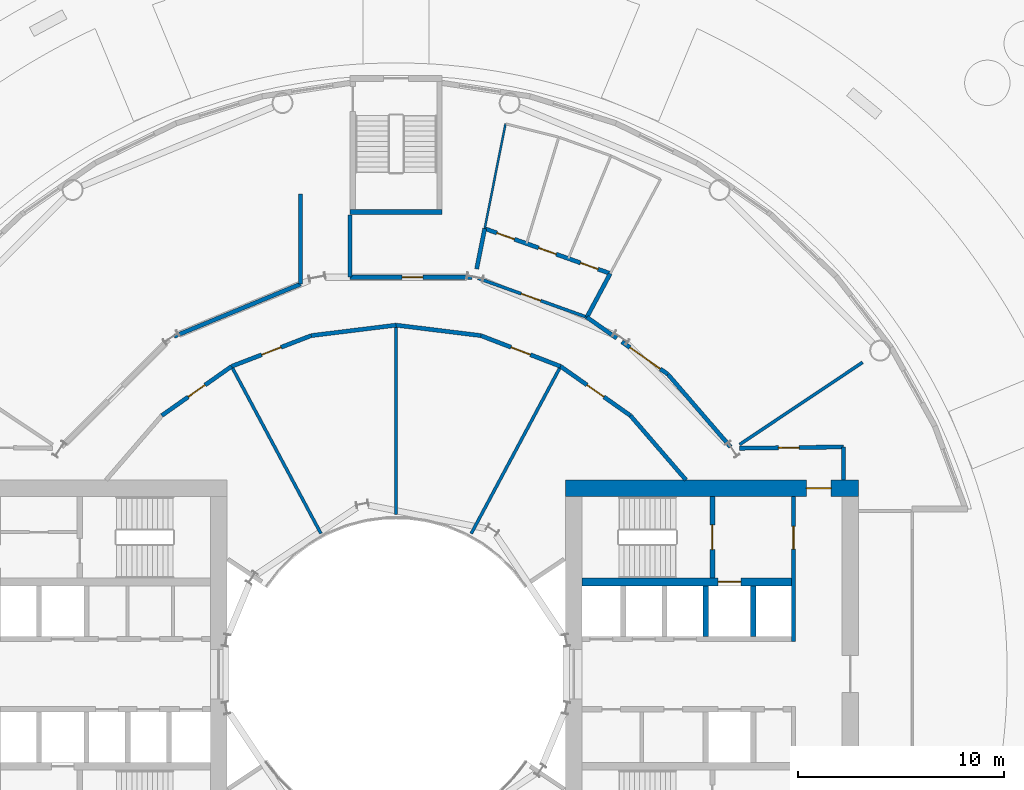
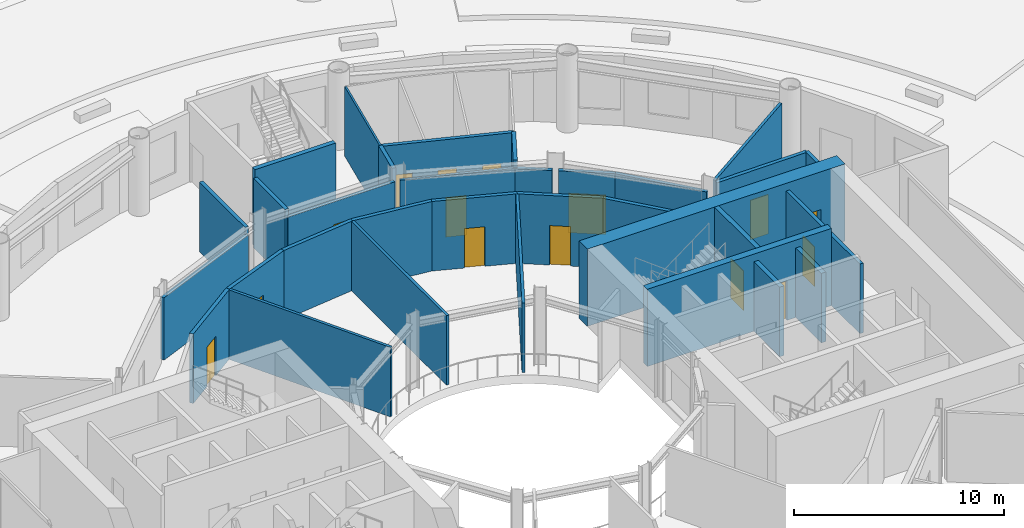
# One storey, part 14 of 19: 32 walls, 15 doors, 15 openings.
"""IFC4 building model written with IfcOpenShell, lengths in metres."""

from ifc_helpers import new_model, si_unit, direction, frame, frame_2d, origin, place, context, subcontext, project, spatial, rectangle, extrude, material, layer, layer_set, type_object, element, fill, save


model = new_model("IFC4")

# Units and contexts
model_context = context("Model", 3, precision=1e-05, world=origin(), true_north=direction((0.0, 1.0)))
body_context = subcontext(model_context, "Body", "Model", "MODEL_VIEW")
ifc_project = project(units=[si_unit("LENGTHUNIT", "METRE"), si_unit("AREAUNIT", "SQUARE_METRE"), si_unit("VOLUMEUNIT", "CUBIC_METRE"), si_unit("PLANEANGLEUNIT", "RADIAN"), si_unit("MASSUNIT", "GRAM", prefix="KILO")], contexts=[model_context])

# Site, building, storey
site_placement = place(None, origin())
site = spatial("IfcSite", under=ifc_project, at=site_placement, CompositionType="ELEMENT")
building_placement = place(site_placement, origin())
building = spatial("IfcBuilding", under=site, at=building_placement, Name="Maasbend Ring Residences", CompositionType="ELEMENT")
storey_placement = place(building_placement, frame((0.0, 0.0, 9.60009765625)))
storey = spatial("IfcBuildingStorey", under=building, at=storey_placement, Name="L02", CompositionType="ELEMENT", Elevation=9.60009765625)

# Wall, opening, door
ifc_material_1 = material(Name="Concrete C70/85", Category="concrete")
ifc_layer_1 = layer(ifc_material_1, 0.25)
ifc_layer_set_1 = layer_set([ifc_layer_1], Name="Concrete C70/85")
wall_type_1 = type_object("IfcWallType", Name="CORE WALL 250 C70/85", PredefinedType="SHEAR", material=ifc_layer_set_1)
wall_1_placement = place(storey_placement, frame((15.324951171875, 4.64990234375, 0.0), z_axis=(0.0, 0.0, 1.0), x_axis=(0.0, 1.0, 0.0)))
wall_1 = element("IfcWall", 1, at=wall_1_placement, inside=storey, type_object=wall_type_1, Name="L02 core E wall STEN", PredefinedType="SHEAR", context=body_context, shape_type="SweptSolid", body=[
    extrude(rectangle(XDim=3.9501953125, YDim=0.25, at=frame_2d((1.97509765625, 0.0))), origin(), (0.0, 0.0, 1.0), 4.5),
])
opening_1_placement = place(wall_1_placement, frame((1.375, 0.0, 0.0)))
opening_1 = element("IfcOpeningElement", 2, at=opening_1_placement, cuts=wall_1, Name="Opening D-E0210", PredefinedType="OPENING", context=body_context, shape_type="SweptSolid", body=[
    extrude(rectangle(XDim=1.199951171875, YDim=2.300048828125, at=frame_2d((0.60009765625, 1.14990234375))), frame((0.0, 0.135009765625, 0.0), z_axis=(0.0, -1.0, 0.0), x_axis=(1.0, 0.0, 0.0)), (0.0, 0.0, 1.0), 0.27001953125),
])
ifc_material_2 = material(Name="Steel, powder coated", Category="steel")
door_type_1 = type_object("IfcDoorType", Name="STAIR DOOR 1200 X 2300 FD60", OperationType="NOTDEFINED", PredefinedType="DOOR", material=ifc_material_2)
door_1_placement = place(opening_1_placement, origin())
door_1 = element("IfcDoor", 3, at=door_1_placement, inside=storey, type_object=door_type_1, Name="Stair door ST-E L02", OperationType="SINGLE_SWING_LEFT", OverallHeight=2.300048828125, OverallWidth=1.199951171875, PredefinedType="DOOR", context=body_context, shape_type="SweptSolid", body=[
    extrude(rectangle(XDim=1.199951171875, YDim=2.300048828125, at=frame_2d((0.60009765625, 1.14990234375))), frame((0.0, 0.02490234375, 0.0), z_axis=(0.0, -1.0, 0.0), x_axis=(1.0, 0.0, 0.0)), (0.0, 0.0, 1.0), 0.050048828125),
])
fill(opening_1, door_1)

# Wall
wall_2_placement = place(storey_placement, frame((2.22509765625, 22.375, 0.0), z_axis=(0.0, 0.0, 1.0), x_axis=(-1.0, 0.0, 0.0)))
element("IfcWall", 4, at=wall_2_placement, inside=storey, type_object=wall_type_1, Name="L02 ST-P4 enclosure wall WIN", PredefinedType="SHEAR", context=body_context, shape_type="SweptSolid", body=[
    extrude(rectangle(XDim=4.4501953125, YDim=0.25, at=frame_2d((2.22509765625, 0.0))), origin(), (0.0, 0.0, 1.0), 4.5),
])

# Wall, opening, door
ifc_material_3 = material(Name="Concrete C70/85", Category="concrete")
ifc_layer_2 = layer(ifc_material_3, 0.375)
ifc_layer_set_2 = layer_set([ifc_layer_2], Name="Concrete C70/85")
wall_type_2 = type_object("IfcWallType", Name="CORE WALL 375 C70/85", PredefinedType="SHEAR", material=ifc_layer_set_2)
wall_3_placement = place(storey_placement, frame((9.0, 4.46240234375, 0.0), z_axis=(0.0, 0.0, 1.0), x_axis=(1.0, 0.0, 0.0)))
wall_3 = element("IfcWall", 5, at=wall_3_placement, inside=storey, type_object=wall_type_2, Name="L02 core E wall BN", PredefinedType="SHEAR", context=body_context, shape_type="SweptSolid", body=[
    extrude(rectangle(XDim=10.14990234375, YDim=0.375, at=frame_2d((5.074951171875, 0.0))), origin(), (0.0, 0.0, 1.0), 4.5),
])
opening_2_placement = place(wall_3_placement, frame((6.60009765625, 0.0, 0.0)))
opening_2 = element("IfcOpeningElement", 6, at=opening_2_placement, cuts=wall_3, Name="Opening LD-E0204", PredefinedType="OPENING", context=body_context, shape_type="SweptSolid", body=[
    extrude(rectangle(XDim=1.10009765625, YDim=2.300048828125, at=frame_2d((0.550048828125, 1.14990234375))), frame((0.0, 0.197509765625, 0.0), z_axis=(0.0, -1.0, 0.0), x_axis=(1.0, 0.0, 0.0)), (0.0, 0.0, 1.0), 0.39501953125),
])
ifc_material_4 = material(Name="Stainless steel 316", Category="steel")
door_type_2 = type_object("IfcDoorType", Name="LANDING DOOR 1100 X 2300 FD60", OperationType="DOUBLE_DOOR_SLIDING", PredefinedType="DOOR", material=ifc_material_4)
door_2_placement = place(opening_2_placement, origin())
door_2 = element("IfcDoor", 7, at=door_2_placement, inside=storey, type_object=door_type_2, Name="Landing door FF-E L02", OperationType="DOUBLE_DOOR_SLIDING", OverallHeight=2.300048828125, OverallWidth=1.10009765625, PredefinedType="DOOR", context=body_context, shape_type="SweptSolid", body=[
    extrude(rectangle(XDim=1.10009765625, YDim=2.300048828125, at=frame_2d((0.550048828125, 1.14990234375))), frame((0.0, 0.02490234375, 0.0), z_axis=(0.0, -1.0, 0.0), x_axis=(1.0, 0.0, 0.0)), (0.0, 0.0, 1.0), 0.050048828125),
])
fill(opening_2, door_2)

ifc_material_5 = material(Name="Concrete C70/85", Category="concrete")
ifc_layer_3 = layer(ifc_material_5, 0.800048828125)
ifc_layer_set_3 = layer_set([ifc_layer_3], Name="Concrete C70/85")
wall_type_3 = type_object("IfcWallType", Name="CORE WALL 800 C70/85", PredefinedType="SHEAR", material=ifc_layer_set_3)
wall_4_placement = place(storey_placement, frame((22.39990234375, 9.0, 0.0), z_axis=(0.0, 0.0, 1.0), x_axis=(-1.0, 0.0, 0.0)))
wall_4 = element("IfcWall", 8, at=wall_4_placement, inside=storey, type_object=wall_type_3, Name="L02 core E wall PN", PredefinedType="SHEAR", context=body_context, shape_type="SweptSolid", body=[
    extrude(rectangle(XDim=14.199951171875, YDim=0.800048828125, at=frame_2d((7.10009765625, 0.0))), origin(), (0.0, 0.0, 1.0), 4.5),
])
opening_3_placement = place(wall_4_placement, frame((1.324951171875, 0.0, 0.0)))
opening_3 = element("IfcOpeningElement", 9, at=opening_3_placement, cuts=wall_4, Name="Opening D-E0214", PredefinedType="OPENING", context=body_context, shape_type="SweptSolid", body=[
    extrude(rectangle(XDim=1.199951171875, YDim=2.300048828125, at=frame_2d((0.60009765625, 1.14990234375))), frame((0.0, 0.41015625, 0.0), z_axis=(0.0, -1.0, 0.0), x_axis=(1.0, 0.0, 0.0)), (0.0, 0.0, 1.0), 0.820068359375),
])
ifc_material_6 = material(Name="Steel, powder coated", Category="steel")
door_type_3 = type_object("IfcDoorType", Name="CORRIDOR DOOR 1200 X 2300 FD30S", OperationType="NOTDEFINED", PredefinedType="DOOR", material=ifc_material_6)
door_3_placement = place(opening_3_placement, origin())
door_3 = element("IfcDoor", 10, at=door_3_placement, inside=storey, type_object=door_type_3, Name="Corridor door L02", OperationType="SINGLE_SWING_RIGHT", OverallHeight=2.300048828125, OverallWidth=1.199951171875, PredefinedType="DOOR", context=body_context, shape_type="SweptSolid", body=[
    extrude(rectangle(XDim=1.199951171875, YDim=2.300048828125, at=frame_2d((0.60009765625, 1.14990234375))), frame((0.0, 0.02490234375, 0.0), z_axis=(0.0, -1.0, 0.0), x_axis=(1.0, 0.0, 0.0)), (0.0, 0.0, 1.0), 0.050048828125),
])
fill(opening_3, door_3)

# Walls
ifc_material_7 = material(Name="Concrete C30/37", Category="concrete")
ifc_layer_4 = layer(ifc_material_7, 0.199951171875)
ifc_layer_set_4 = layer_set([ifc_layer_4], Name="Concrete C30/37")
wall_type_4 = type_object("IfcWallType", Name="CORRIDOR WALL 200 CONCRETE", PredefinedType="PARTITIONING", material=ifc_layer_set_4)
wall_5_placement = place(storey_placement, frame((21.675048828125, 9.39990234375, 0.0), z_axis=(0.0, 0.0, 1.0), x_axis=(0.0, 1.0, 0.0)))
element("IfcWall", 11, at=wall_5_placement, inside=storey, type_object=wall_type_4, Name="U-L02-w003", PredefinedType="PARTITIONING", context=body_context, shape_type="SweptSolid", body=[
    extrude(rectangle(XDim=1.60009765625, YDim=0.199951171875, at=frame_2d((0.800048828125, 0.0))), origin(), (0.0, 0.0, 1.0), 4.0498046875),
])
wall_6_placement = place(storey_placement, frame((3.903076171875, 19.623046875, 0.0), z_axis=(0.0, 0.0, 1.0), x_axis=(0.195220503211, 0.980759376772, 0.0)))
element("IfcWall", 12, at=wall_6_placement, inside=storey, type_object=wall_type_4, Name="U-L02-w041", PredefinedType="PARTITIONING", context=body_context, shape_type="SweptSolid", body=[
    extrude(rectangle(XDim=1.9921875, YDim=0.199951171875, at=frame_2d((0.99609375, 0.0))), origin(), (0.0, 0.0, 1.0), 4.0498046875),
])
wall_7_placement = place(storey_placement, frame((9.241943359375, 17.284912109375, 0.0), z_axis=(0.0, 0.0, 1.0), x_axis=(0.471597030656, 0.88181417582, 0.0)))
element("IfcWall", 13, at=wall_7_placement, inside=storey, type_object=wall_type_4, Name="U-L02-w045", PredefinedType="PARTITIONING", context=body_context, shape_type="SweptSolid", body=[
    extrude(rectangle(XDim=2.3984375, YDim=0.199951171875, at=frame_2d((1.19921875, 0.0))), origin(), (0.0, 0.0, 1.0), 4.0498046875),
])
wall_8_placement = place(storey_placement, frame((-2.22509765625, 19.222900390625, 0.0), z_axis=(0.0, 0.0, 1.0), x_axis=(0.0, 1.0, 0.0)))
element("IfcWall", 14, at=wall_8_placement, inside=storey, type_object=wall_type_4, Name="U-L02-w052", PredefinedType="PARTITIONING", context=body_context, shape_type="SweptSolid", body=[
    extrude(rectangle(XDim=3.007080078125, YDim=0.199951171875, at=frame_2d((1.50341796875, 0.0))), origin(), (0.0, 0.0, 1.0), 4.0498046875),
])
wall_9_placement = place(storey_placement, frame((-4.625, 18.89111328125, 0.0), z_axis=(0.0, 0.0, 1.0), x_axis=(0.0, 1.0, 0.0)))
element("IfcWall", 15, at=wall_9_placement, inside=storey, type_object=wall_type_4, Name="U-L02-w053", PredefinedType="PARTITIONING", context=body_context, shape_type="SweptSolid", body=[
    extrude(rectangle(XDim=4.35888671875, YDim=0.199951171875, at=frame_2d((2.179443359375, 0.0))), origin(), (0.0, 0.0, 1.0), 4.0498046875),
])

# Wall, opening, door
wall_10_placement = place(storey_placement, frame((16.64306640625, 10.93798828125, 0.0), z_axis=(0.0, 0.0, 1.0), x_axis=(0.999924074118, 0.012322580895, 0.0)))
wall_10 = element("IfcWall", 16, at=wall_10_placement, inside=storey, type_object=wall_type_4, Name="U-L02-w055", PredefinedType="PARTITIONING", context=body_context, shape_type="SweptSolid", body=[
    extrude(rectangle(XDim=5.032470703125, YDim=0.199951171875, at=frame_2d((2.51611328125, 0.0))), origin(), (0.0, 0.0, 1.0), 4.0498046875),
])
opening_4_placement = place(wall_10_placement, frame((1.8779296875, 0.0, 0.0)))
opening_4 = element("IfcOpeningElement", 17, at=opening_4_placement, cuts=wall_10, Name="Opening D-0227", PredefinedType="OPENING", context=body_context, shape_type="SweptSolid", body=[
    extrude(rectangle(XDim=1.0, YDim=2.300048828125, at=frame_2d((0.5, 1.14990234375))), frame((0.0, 0.10986328125, 0.0), z_axis=(0.0, -1.0, 0.0), x_axis=(1.0, 0.0, 0.0)), (0.0, 0.0, 1.0), 0.219970703125),
])
ifc_material_8 = material(Name="Timber, painted", Category="wood")
door_type_4 = type_object("IfcDoorType", Name="ROOM DOOR 1000 X 2300", OperationType="NOTDEFINED", PredefinedType="DOOR", material=ifc_material_8)
door_4_placement = place(opening_4_placement, origin())
door_4 = element("IfcDoor", 18, at=door_4_placement, inside=storey, type_object=door_type_4, Name="D-0227", OperationType="SINGLE_SWING_LEFT", OverallHeight=2.300048828125, OverallWidth=1.0, PredefinedType="DOOR", context=body_context, shape_type="SweptSolid", body=[
    extrude(rectangle(XDim=1.0, YDim=2.300048828125, at=frame_2d((0.5, 1.14990234375))), frame((0.0, 0.02490234375, 0.0), z_axis=(0.0, -1.0, 0.0), x_axis=(1.0, 0.0, 0.0)), (0.0, 0.0, 1.0), 0.050048828125),
])
fill(opening_4, door_4)

wall_11_placement = place(storey_placement, frame((-11.34912109375, 12.52197265625, 0.0), z_axis=(0.0, 0.0, 1.0), x_axis=(0.817567680547, 0.575832517079, 0.0)))
wall_11 = element("IfcWall", 19, at=wall_11_placement, inside=storey, type_object=wall_type_4, Name="U-L02-w057", PredefinedType="PARTITIONING", context=body_context, shape_type="SweptSolid", body=[
    extrude(rectangle(XDim=4.13671875, YDim=0.199951171875, at=frame_2d((2.068359375, 0.0))), origin(), (0.0, 0.0, 1.0), 4.0498046875),
])
opening_5_placement = place(wall_11_placement, frame((1.568115234375, 0.0, 0.0)))
opening_5 = element("IfcOpeningElement", 20, at=opening_5_placement, cuts=wall_11, Name="Opening D-0215", PredefinedType="OPENING", context=body_context, shape_type="SweptSolid", body=[
    extrude(rectangle(XDim=1.0, YDim=2.300048828125, at=frame_2d((0.5, 1.14990234375))), frame((0.0, 0.10986328125, 0.0), z_axis=(0.0, -1.0, 0.0), x_axis=(1.0, 0.0, 0.0)), (0.0, 0.0, 1.0), 0.219970703125),
])
door_5_placement = place(opening_5_placement, origin())
door_5 = element("IfcDoor", 21, at=door_5_placement, inside=storey, type_object=door_type_4, Name="D-0215", OperationType="SINGLE_SWING_RIGHT", OverallHeight=2.300048828125, OverallWidth=1.0, PredefinedType="DOOR", context=body_context, shape_type="SweptSolid", body=[
    extrude(rectangle(XDim=1.0, YDim=2.300048828125, at=frame_2d((0.5, 1.14990234375))), frame((0.0, 0.02490234375, 0.0), z_axis=(0.0, -1.0, 0.0), x_axis=(1.0, 0.0, 0.0)), (0.0, 0.0, 1.0), 0.050048828125),
])
fill(opening_5, door_5)

wall_12_placement = place(storey_placement, frame((-7.967041015625, 14.904052734375, 0.0), z_axis=(0.0, 0.0, 1.0), x_axis=(0.932943640288, 0.360022449363, 0.0)))
wall_12 = element("IfcWall", 22, at=wall_12_placement, inside=storey, type_object=wall_type_4, Name="U-L02-w058", PredefinedType="PARTITIONING", context=body_context, shape_type="SweptSolid", body=[
    extrude(rectangle(XDim=4.138671875, YDim=0.199951171875, at=frame_2d((2.0693359375, 0.0))), origin(), (0.0, 0.0, 1.0), 4.0498046875),
])
opening_6_placement = place(wall_12_placement, frame((1.569091796875, 0.0, 0.0)))
opening_6 = element("IfcOpeningElement", 23, at=opening_6_placement, cuts=wall_12, Name="Opening D-0214", PredefinedType="OPENING", context=body_context, shape_type="SweptSolid", body=[
    extrude(rectangle(XDim=1.0, YDim=2.300048828125, at=frame_2d((0.5, 1.14990234375))), frame((0.0, 0.10986328125, 0.0), z_axis=(0.0, -1.0, 0.0), x_axis=(1.0, 0.0, 0.0)), (0.0, 0.0, 1.0), 0.219970703125),
])
door_6_placement = place(opening_6_placement, origin())
door_6 = element("IfcDoor", 24, at=door_6_placement, inside=storey, type_object=door_type_4, Name="D-0214", OperationType="SINGLE_SWING_RIGHT", OverallHeight=2.300048828125, OverallWidth=1.0, PredefinedType="DOOR", context=body_context, shape_type="SweptSolid", body=[
    extrude(rectangle(XDim=1.0, YDim=2.300048828125, at=frame_2d((0.5, 1.14990234375))), frame((0.0, 0.02490234375, 0.0), z_axis=(0.0, -1.0, 0.0), x_axis=(1.0, 0.0, 0.0)), (0.0, 0.0, 1.0), 0.050048828125),
])
fill(opening_6, door_6)

# Walls
for number, where, z_axis, x_axis, name in (
    (25, (-4.10595703125, 16.39404296875, 0.0), (0.0, 0.0, 1.0), (0.992496033272, 0.122276833211, 0.0), "U-L02-w059"),
    (26, (0.0, 16.89990234375, 0.0), (0.0, 0.0, 1.0), (0.992496033272, -0.122276833211, 0.0), "U-L02-w060"),
):
    element("IfcWall", number, at=place(storey_placement, frame(where, z_axis=z_axis, x_axis=x_axis)), inside=storey, type_object=wall_type_4, Name=name, PredefinedType="PARTITIONING", context=body_context, shape_type="SweptSolid", body=[
        extrude(rectangle(XDim=4.136962890625, YDim=0.199951171875, at=frame_2d((2.068359375, 0.0))), origin(), (0.0, 0.0, 1.0), 4.0498046875),
    ])

# Wall, opening, door
wall_13_placement = place(storey_placement, frame((4.10595703125, 16.39404296875, 0.0), z_axis=(0.0, 0.0, 1.0), x_axis=(0.932943640288, -0.360022449363, 0.0)))
wall_13 = element("IfcWall", 27, at=wall_13_placement, inside=storey, type_object=wall_type_4, Name="U-L02-w061", PredefinedType="PARTITIONING", context=body_context, shape_type="SweptSolid", body=[
    extrude(rectangle(XDim=4.138671875, YDim=0.199951171875, at=frame_2d((2.0693359375, 0.0))), origin(), (0.0, 0.0, 1.0), 4.0498046875),
])
opening_7_placement = place(wall_13_placement, frame((1.569091796875, 0.0, 0.0)))
opening_7 = element("IfcOpeningElement", 28, at=opening_7_placement, cuts=wall_13, Name="Opening D-0213", PredefinedType="OPENING", context=body_context, shape_type="SweptSolid", body=[
    extrude(rectangle(XDim=1.0, YDim=2.300048828125, at=frame_2d((0.5, 1.14990234375))), frame((0.0, 0.10986328125, 0.0), z_axis=(0.0, -1.0, 0.0), x_axis=(1.0, 0.0, 0.0)), (0.0, 0.0, 1.0), 0.219970703125),
])
door_7_placement = place(opening_7_placement, origin())
door_7 = element("IfcDoor", 29, at=door_7_placement, inside=storey, type_object=door_type_4, Name="D-0213", OperationType="SINGLE_SWING_LEFT", OverallHeight=2.300048828125, OverallWidth=1.0, PredefinedType="DOOR", context=body_context, shape_type="SweptSolid", body=[
    extrude(rectangle(XDim=1.0, YDim=2.300048828125, at=frame_2d((0.5, 1.14990234375))), frame((0.0, 0.02490234375, 0.0), z_axis=(0.0, -1.0, 0.0), x_axis=(1.0, 0.0, 0.0)), (0.0, 0.0, 1.0), 0.050048828125),
])
fill(opening_7, door_7)

wall_14_placement = place(storey_placement, frame((7.967041015625, 14.904052734375, 0.0), z_axis=(0.0, 0.0, 1.0), x_axis=(0.817567680547, -0.575832517079, 0.0)))
wall_14 = element("IfcWall", 30, at=wall_14_placement, inside=storey, type_object=wall_type_4, Name="U-L02-w062", PredefinedType="PARTITIONING", context=body_context, shape_type="SweptSolid", body=[
    extrude(rectangle(XDim=4.13671875, YDim=0.199951171875, at=frame_2d((2.068359375, 0.0))), origin(), (0.0, 0.0, 1.0), 4.0498046875),
])
opening_8_placement = place(wall_14_placement, frame((1.568115234375, 0.0, 0.0)))
opening_8 = element("IfcOpeningElement", 31, at=opening_8_placement, cuts=wall_14, Name="Opening D-0212", PredefinedType="OPENING", context=body_context, shape_type="SweptSolid", body=[
    extrude(rectangle(XDim=1.0, YDim=2.300048828125, at=frame_2d((0.5, 1.14990234375))), frame((0.0, 0.10986328125, 0.0), z_axis=(0.0, -1.0, 0.0), x_axis=(1.0, 0.0, 0.0)), (0.0, 0.0, 1.0), 0.219970703125),
])
door_8_placement = place(opening_8_placement, origin())
door_8 = element("IfcDoor", 32, at=door_8_placement, inside=storey, type_object=door_type_4, Name="D-0212", OperationType="SINGLE_SWING_LEFT", OverallHeight=2.300048828125, OverallWidth=1.0, PredefinedType="DOOR", context=body_context, shape_type="SweptSolid", body=[
    extrude(rectangle(XDim=1.0, YDim=2.300048828125, at=frame_2d((0.5, 1.14990234375))), frame((0.0, 0.02490234375, 0.0), z_axis=(0.0, -1.0, 0.0), x_axis=(1.0, 0.0, 0.0)), (0.0, 0.0, 1.0), 0.050048828125),
])
fill(opening_8, door_8)

# Walls
wall_15_placement = place(storey_placement, frame((11.34912109375, 12.52197265625, 0.0), z_axis=(0.0, 0.0, 1.0), x_axis=(0.653274518104, -0.757121129012, 0.0)))
element("IfcWall", 33, at=wall_15_placement, inside=storey, type_object=wall_type_4, Name="U-L02-w063", PredefinedType="PARTITIONING", context=body_context, shape_type="SweptSolid", body=[
    extrude(rectangle(XDim=4.12353515625, YDim=0.199951171875, at=frame_2d((2.061767578125, 0.0))), origin(), (0.0, 0.0, 1.0), 4.0498046875),
])
wall_16_placement = place(storey_placement, frame((-10.7470703125, 16.35595703125, 0.0), z_axis=(0.0, 0.0, 1.0), x_axis=(0.923916253875, 0.382594767117, 0.0)))
element("IfcWall", 34, at=wall_16_placement, inside=storey, type_object=wall_type_4, Name="U-L02-w065", PredefinedType="PARTITIONING", context=body_context, shape_type="SweptSolid", body=[
    extrude(rectangle(XDim=6.626220703125, YDim=0.199951171875, at=frame_2d((3.31298828125, 0.0))), origin(), (0.0, 0.0, 1.0), 3.6298828125),
])

# Wall, opening, door
wall_17_placement = place(storey_placement, frame((-2.22509765625, 19.222900390625, 0.0), z_axis=(0.0, 0.0, 1.0), x_axis=(1.0, 0.0, 0.0)))
wall_17 = element("IfcWall", 35, at=wall_17_placement, inside=storey, type_object=wall_type_4, Name="U-L02-w066", PredefinedType="PARTITIONING", context=body_context, shape_type="SweptSolid", body=[
    extrude(rectangle(XDim=5.89404296875, YDim=0.199951171875, at=frame_2d((2.947021484375, 0.0))), origin(), (0.0, 0.0, 1.0), 3.6298828125),
])
opening_9_placement = place(wall_17_placement, frame((2.52392578125, 0.0, 0.0)))
opening_9 = element("IfcOpeningElement", 36, at=opening_9_placement, cuts=wall_17, Name="Opening D-0210", PredefinedType="OPENING", context=body_context, shape_type="SweptSolid", body=[
    extrude(rectangle(XDim=1.0, YDim=2.300048828125, at=frame_2d((0.5, 1.14990234375))), frame((0.0, 0.10986328125, 0.0), z_axis=(0.0, -1.0, 0.0), x_axis=(1.0, 0.0, 0.0)), (0.0, 0.0, 1.0), 0.219970703125),
])
door_9_placement = place(opening_9_placement, origin())
door_9 = element("IfcDoor", 37, at=door_9_placement, inside=storey, type_object=door_type_4, Name="D-0210", OperationType="SINGLE_SWING_RIGHT", OverallHeight=2.300048828125, OverallWidth=1.0, PredefinedType="DOOR", context=body_context, shape_type="SweptSolid", body=[
    extrude(rectangle(XDim=1.0, YDim=2.300048828125, at=frame_2d((0.5, 1.14990234375))), frame((0.0, 0.02490234375, 0.0), z_axis=(0.0, -1.0, 0.0), x_axis=(1.0, 0.0, 0.0)), (0.0, 0.0, 1.0), 0.050048828125),
])
fill(opening_9, door_9)

# Wall
wall_18_placement = place(storey_placement, frame((9.239013671875, 17.285888671875, 0.0), z_axis=(0.0, 0.0, 1.0), x_axis=(0.817849682833, -0.575431921508, 0.0)))
element("IfcWall", 38, at=wall_18_placement, inside=storey, type_object=wall_type_4, Name="U-L02-w068", PredefinedType="PARTITIONING", context=body_context, shape_type="SweptSolid", body=[
    extrude(rectangle(XDim=1.7705078125, YDim=0.199951171875, at=frame_2d((0.88525390625, 0.0))), origin(), (0.0, 0.0, 1.0), 3.6298828125),
])

# Wall, opening, door
wall_19_placement = place(storey_placement, frame((10.93505859375, 16.092041015625, 0.0), z_axis=(0.0, 0.0, 1.0), x_axis=(0.817595540973, -0.575792958781, 0.0)))
wall_19 = element("IfcWall", 39, at=wall_19_placement, inside=storey, type_object=wall_type_4, Name="U-L02-w069", PredefinedType="PARTITIONING", context=body_context, shape_type="SweptSolid", body=[
    extrude(rectangle(XDim=2.72509765625, YDim=0.199951171875, at=frame_2d((1.362548828125, 0.0))), origin(), (0.0, 0.0, 1.0), 3.6298828125),
])
opening_10_placement = place(wall_19_placement, frame((0.47607421875, 0.0, 0.0)))
opening_10 = element("IfcOpeningElement", 40, at=opening_10_placement, cuts=wall_19, Name="Opening D-0209", PredefinedType="OPENING", context=body_context, shape_type="SweptSolid", body=[
    extrude(rectangle(XDim=1.800048828125, YDim=2.300048828125, at=frame_2d((0.89990234375, 1.14990234375))), frame((0.0, 0.10986328125, 0.0), z_axis=(0.0, -1.0, 0.0), x_axis=(1.0, 0.0, 0.0)), (0.0, 0.0, 1.0), 0.219970703125),
])
ifc_material_9 = material(Name="Timber, painted", Category="wood")
door_type_5 = type_object("IfcDoorType", Name="DOUBLE DOOR 1800 X 2300", OperationType="NOTDEFINED", PredefinedType="DOOR", material=ifc_material_9)
door_10_placement = place(opening_10_placement, origin())
door_10 = element("IfcDoor", 41, at=door_10_placement, inside=storey, type_object=door_type_5, Name="D-0209", OperationType="DOUBLE_DOOR_SINGLE_SWING", OverallHeight=2.300048828125, OverallWidth=1.800048828125, PredefinedType="DOOR", context=body_context, shape_type="SweptSolid", body=[
    extrude(rectangle(XDim=1.800048828125, YDim=2.300048828125, at=frame_2d((0.89990234375, 1.14990234375))), frame((0.0, 0.02490234375, 0.0), z_axis=(0.0, -1.0, 0.0), x_axis=(1.0, 0.0, 0.0)), (0.0, 0.0, 1.0), 0.050048828125),
])
fill(opening_10, door_10)

# Wall
wall_20_placement = place(storey_placement, frame((13.1630859375, 14.52294921875, 0.0), z_axis=(0.0, 0.0, 1.0), x_axis=(0.653077876854, -0.757290754443, 0.0)))
element("IfcWall", 42, at=wall_20_placement, inside=storey, type_object=wall_type_4, Name="U-L02-w070", PredefinedType="PARTITIONING", context=body_context, shape_type="SweptSolid", body=[
    extrude(rectangle(XDim=4.6455078125, YDim=0.199951171875, at=frame_2d((2.32275390625, 0.0))), origin(), (0.0, 0.0, 1.0), 3.6298828125),
])

# Wall, openings, doors
wall_21_placement = place(storey_placement, frame((4.2919921875, 21.576904296875, 0.0), z_axis=(0.0, 0.0, 1.0), x_axis=(0.941534771306, -0.336915826909, 0.0)))
wall_21 = element("IfcWall", 43, at=wall_21_placement, inside=storey, type_object=wall_type_4, Name="U-L02-w073", PredefinedType="PARTITIONING", context=body_context, shape_type="SweptSolid", body=[
    extrude(rectangle(XDim=6.458740234375, YDim=0.199951171875, at=frame_2d((3.2294921875, 0.0))), origin(), (0.0, 0.0, 1.0), 4.0498046875),
])
opening_11_placement = place(wall_21_placement, frame((4.930908203125, 0.0, 0.0)))
opening_11 = element("IfcOpeningElement", 44, at=opening_11_placement, cuts=wall_21, Name="Opening D-0202", PredefinedType="OPENING", context=body_context, shape_type="SweptSolid", body=[
    extrude(rectangle(XDim=0.89990234375, YDim=2.300048828125, at=frame_2d((0.449951171875, 1.14990234375))), frame((0.0, 0.10986328125, 0.0), z_axis=(0.0, -1.0, 0.0), x_axis=(1.0, 0.0, 0.0)), (0.0, 0.0, 1.0), 0.219970703125),
])
opening_12_placement = place(wall_21_placement, frame((2.778076171875, 0.0, 0.0)))
opening_12 = element("IfcOpeningElement", 45, at=opening_12_placement, cuts=wall_21, Name="Opening D-0203", PredefinedType="OPENING", context=body_context, shape_type="SweptSolid", body=[
    extrude(rectangle(XDim=0.89990234375, YDim=2.300048828125, at=frame_2d((0.449951171875, 1.14990234375))), frame((0.0, 0.10986328125, 0.0), z_axis=(0.0, -1.0, 0.0), x_axis=(1.0, 0.0, 0.0)), (0.0, 0.0, 1.0), 0.219970703125),
])
opening_13_placement = place(wall_21_placement, frame((0.6259765625, 0.0, 0.0)))
opening_13 = element("IfcOpeningElement", 46, at=opening_13_placement, cuts=wall_21, Name="Opening D-0204", PredefinedType="OPENING", context=body_context, shape_type="SweptSolid", body=[
    extrude(rectangle(XDim=0.89990234375, YDim=2.300048828125, at=frame_2d((0.449951171875, 1.14990234375))), frame((0.0, 0.10986328125, 0.0), z_axis=(0.0, -1.0, 0.0), x_axis=(1.0, 0.0, 0.0)), (0.0, 0.0, 1.0), 0.219970703125),
])
ifc_material_10 = material(Name="Timber, painted", Category="wood")
door_type_6 = type_object("IfcDoorType", Name="INTERNAL DOOR 900 X 2300", OperationType="NOTDEFINED", PredefinedType="DOOR", material=ifc_material_10)
door_11_placement = place(opening_11_placement, origin())
door_11 = element("IfcDoor", 47, at=door_11_placement, inside=storey, type_object=door_type_6, Name="D-0202", OperationType="SINGLE_SWING_RIGHT", OverallHeight=2.300048828125, OverallWidth=0.89990234375, PredefinedType="DOOR", context=body_context, shape_type="SweptSolid", body=[
    extrude(rectangle(XDim=0.89990234375, YDim=2.300048828125, at=frame_2d((0.449951171875, 1.14990234375))), frame((0.0, 0.02490234375, 0.0), z_axis=(0.0, -1.0, 0.0), x_axis=(1.0, 0.0, 0.0)), (0.0, 0.0, 1.0), 0.050048828125),
])
fill(opening_11, door_11)
door_12_placement = place(opening_12_placement, origin())
door_12 = element("IfcDoor", 48, at=door_12_placement, inside=storey, type_object=door_type_6, Name="D-0203", OperationType="SINGLE_SWING_LEFT", OverallHeight=2.300048828125, OverallWidth=0.89990234375, PredefinedType="DOOR", context=body_context, shape_type="SweptSolid", body=[
    extrude(rectangle(XDim=0.89990234375, YDim=2.300048828125, at=frame_2d((0.449951171875, 1.14990234375))), frame((0.0, 0.02490234375, 0.0), z_axis=(0.0, -1.0, 0.0), x_axis=(1.0, 0.0, 0.0)), (0.0, 0.0, 1.0), 0.050048828125),
])
fill(opening_12, door_12)
door_13_placement = place(opening_13_placement, origin())
door_13 = element("IfcDoor", 49, at=door_13_placement, inside=storey, type_object=door_type_6, Name="D-0204", OperationType="SINGLE_SWING_LEFT", OverallHeight=2.300048828125, OverallWidth=0.89990234375, PredefinedType="DOOR", context=body_context, shape_type="SweptSolid", body=[
    extrude(rectangle(XDim=0.89990234375, YDim=2.300048828125, at=frame_2d((0.449951171875, 1.14990234375))), frame((0.0, 0.02490234375, 0.0), z_axis=(0.0, -1.0, 0.0), x_axis=(1.0, 0.0, 0.0)), (0.0, 0.0, 1.0), 0.050048828125),
])
fill(opening_13, door_13)

# Walls
ifc_material_11 = material(Name="Gypsum board on steel studs", Category="steel")
ifc_layer_5 = layer(ifc_material_11, 0.10009765625)
ifc_layer_set_5 = layer_set([ifc_layer_5], Name="PARTITION 100 GYPSUM")
wall_type_5 = type_object("IfcWallType", Name="PARTITION 100 GYPSUM", PredefinedType="PARTITIONING", material=ifc_layer_set_5)
wall_22_placement = place(storey_placement, frame((4.2919921875, 21.576904296875, 0.0), z_axis=(0.0, 0.0, 1.0), x_axis=(0.194963902417, 0.980810418355, 0.0)))
element("IfcWall", 50, at=wall_22_placement, inside=storey, type_object=wall_type_5, Name="U-L02-w042", PredefinedType="PARTITIONING", context=body_context, shape_type="SweptSolid", body=[
    extrude(rectangle(XDim=5.175537109375, YDim=0.10009765625, at=frame_2d((2.587890625, 0.0))), origin(), (0.0, 0.0, 1.0), 4.0498046875),
])
ifc_material_12 = material(Name="Gypsum board on steel studs", Category="steel")
ifc_layer_6 = layer(ifc_material_12, 0.14990234375)
ifc_layer_set_6 = layer_set([ifc_layer_6], Name="PARTITION 150 GYPSUM")
wall_type_6 = type_object("IfcWallType", Name="PARTITION 150 GYPSUM", PredefinedType="PARTITIONING", material=ifc_layer_set_6)
wall_23_placement = place(storey_placement, frame((-7.968017578125, 14.904052734375, 0.0), z_axis=(0.0, 0.0, 1.0), x_axis=(0.471460365694, -0.881887251059, 0.0)))
element("IfcWall", 51, at=wall_23_placement, inside=storey, type_object=wall_type_6, Name="U-L02-w032", PredefinedType="PARTITIONING", context=body_context, shape_type="SweptSolid", body=[
    extrude(rectangle(XDim=9.18017578125, YDim=0.14990234375, at=frame_2d((4.590087890625, 0.0))), origin(), (0.0, 0.0, 1.0), 4.0498046875),
])
wall_24_placement = place(storey_placement, frame((0.0, 7.719970703125, 0.0), z_axis=(0.0, 0.0, 1.0), x_axis=(0.0, 1.0, 0.0)))
element("IfcWall", 52, at=wall_24_placement, inside=storey, type_object=wall_type_6, Name="U-L02-w038", PredefinedType="PARTITIONING", context=body_context, shape_type="SweptSolid", body=[
    extrude(rectangle(XDim=9.179931640625, YDim=0.14990234375, at=frame_2d((4.58984375, 0.0))), origin(), (0.0, 0.0, 1.0), 4.0498046875),
])
wall_25_placement = place(storey_placement, frame((3.64111328125, 6.806884765625, 0.0), z_axis=(0.0, 0.0, 1.0), x_axis=(0.471428625665, 0.881904218667, 0.0)))
element("IfcWall", 53, at=wall_25_placement, inside=storey, type_object=wall_type_6, Name="U-L02-w040", PredefinedType="PARTITIONING", context=body_context, shape_type="SweptSolid", body=[
    extrude(rectangle(XDim=9.180419921875, YDim=0.14990234375, at=frame_2d((4.59033203125, 0.0))), origin(), (0.0, 0.0, 1.0), 4.0498046875),
])
wall_26_placement = place(storey_placement, frame((16.635009765625, 11.114990234375, 0.0), z_axis=(0.0, 0.0, 1.0), x_axis=(0.831431488123, 0.555627285648, 0.0)))
element("IfcWall", 54, at=wall_26_placement, inside=storey, type_object=wall_type_6, Name="U-L02-w049", PredefinedType="PARTITIONING", context=body_context, shape_type="SweptSolid", body=[
    extrude(rectangle(XDim=7.168212890625, YDim=0.14990234375, at=frame_2d((3.583984375, 0.0))), origin(), (0.0, 0.0, 1.0), 4.0498046875),
])

# Wall, opening, door
wall_27_placement = place(storey_placement, frame((3.968017578125, 19.172119140625, 0.0), z_axis=(0.0, 0.0, 1.0), x_axis=(0.941530584678, -0.336927526504, 0.0)))
wall_27 = element("IfcWall", 55, at=wall_27_placement, inside=storey, type_object=wall_type_6, Name="U-L02-w067", PredefinedType="PARTITIONING", context=body_context, shape_type="SweptSolid", body=[
    extrude(rectangle(XDim=5.598388671875, YDim=0.14990234375, at=frame_2d((2.79931640625, 0.0))), origin(), (0.0, 0.0, 1.0), 3.6298828125),
])
opening_14_placement = place(wall_27_placement, frame((2.222900390625, 0.0, 0.0)))
opening_14 = element("IfcOpeningElement", 56, at=opening_14_placement, cuts=wall_27, Name="Opening D-0201", PredefinedType="OPENING", context=body_context, shape_type="SweptSolid", body=[
    extrude(rectangle(XDim=1.0, YDim=2.300048828125, at=frame_2d((0.5, 1.14990234375))), frame((0.0, 0.0849609375, 0.0), z_axis=(0.0, -1.0, 0.0), x_axis=(1.0, 0.0, 0.0)), (0.0, 0.0, 1.0), 0.169921875),
])
door_14_placement = place(opening_14_placement, origin())
door_14 = element("IfcDoor", 57, at=door_14_placement, inside=storey, type_object=door_type_4, Name="D-0201", OperationType="SINGLE_SWING_LEFT", OverallHeight=2.300048828125, OverallWidth=1.0, PredefinedType="DOOR", context=body_context, shape_type="SweptSolid", body=[
    extrude(rectangle(XDim=1.0, YDim=2.300048828125, at=frame_2d((0.5, 1.14990234375))), frame((0.0, 0.02490234375, 0.0), z_axis=(0.0, -1.0, 0.0), x_axis=(1.0, 0.0, 0.0)), (0.0, 0.0, 1.0), 0.050048828125),
])
fill(opening_14, door_14)

ifc_material_13 = material(Name="Concrete C30/37", Category="concrete")
ifc_layer_7 = layer(ifc_material_13, 0.199951171875)
ifc_layer_set_7 = layer_set([ifc_layer_7], Name="Concrete C30/37")
wall_type_7 = type_object("IfcWallType", Name="SHAFT WALL 200 EI 120", PredefinedType="SOLIDWALL", material=ifc_layer_set_7)
wall_28_placement = place(storey_placement, frame((19.25, 1.574951171875, 0.0), z_axis=(0.0, 0.0, 1.0), x_axis=(0.0, 1.0, 0.0)))
wall_28 = element("IfcWall", 58, at=wall_28_placement, inside=storey, type_object=wall_type_7, Name="L02 core E wall ENDN", PredefinedType="SOLIDWALL", context=body_context, shape_type="SweptSolid", body=[
    extrude(rectangle(XDim=7.025146484375, YDim=0.199951171875, at=frame_2d((3.5126953125, 0.0))), origin(), (0.0, 0.0, 1.0), 4.0498046875),
])
opening_15_placement = place(wall_28_placement, frame((4.47509765625, 0.0, 0.0)))
opening_15 = element("IfcOpeningElement", 59, at=opening_15_placement, cuts=wall_28, Name="Opening D-E0212", PredefinedType="OPENING", context=body_context, shape_type="SweptSolid", body=[
    extrude(rectangle(XDim=1.10009765625, YDim=2.300048828125, at=frame_2d((0.550048828125, 1.14990234375))), frame((0.0, 0.10986328125, 0.0), z_axis=(0.0, -1.0, 0.0), x_axis=(1.0, 0.0, 0.0)), (0.0, 0.0, 1.0), 0.219970703125),
])
ifc_material_14 = material(Name="Steel, powder coated", Category="steel")
door_type_7 = type_object("IfcDoorType", Name="LOBBY DOOR 1100 X 2300 FD60", OperationType="NOTDEFINED", PredefinedType="DOOR", material=ifc_material_14)
door_15_placement = place(opening_15_placement, origin())
door_15 = element("IfcDoor", 60, at=door_15_placement, inside=storey, type_object=door_type_7, Name="Lobby door L02", OperationType="SINGLE_SWING_LEFT", OverallHeight=2.300048828125, OverallWidth=1.10009765625, PredefinedType="DOOR", context=body_context, shape_type="SweptSolid", body=[
    extrude(rectangle(XDim=1.10009765625, YDim=2.300048828125, at=frame_2d((0.550048828125, 1.14990234375))), frame((0.0, 0.02490234375, 0.0), z_axis=(0.0, -1.0, 0.0), x_axis=(1.0, 0.0, 0.0)), (0.0, 0.0, 1.0), 0.050048828125),
])
fill(opening_15, door_15)

# Walls
ifc_material_15 = material(Name="Concrete C30/37", Category="concrete")
ifc_layer_8 = layer(ifc_material_15, 0.25)
ifc_layer_set_8 = layer_set([ifc_layer_8], Name="Concrete C30/37")
wall_type_8 = type_object("IfcWallType", Name="SHAFT WALL 250 EI 120", PredefinedType="SOLIDWALL", material=ifc_layer_set_8)
for number, where, z_axis, x_axis, name in (
    (61, (15.0, 1.824951171875, 0.0), (0.0, 0.0, 1.0), (0.0, 1.0, 0.0), "L02 core E wall D150N"),
    (62, (17.300048828125, 1.824951171875, 0.0), (0.0, 0.0, 1.0), (0.0, 1.0, 0.0), "L02 core E wall D173N"),
):
    element("IfcWall", number, at=place(storey_placement, frame(where, z_axis=z_axis, x_axis=x_axis)), inside=storey, type_object=wall_type_8, Name=name, PredefinedType="SOLIDWALL", context=body_context, shape_type="SweptSolid", body=[
        extrude(rectangle(XDim=2.449951171875, YDim=0.25, at=frame_2d((1.22509765625, 0.0))), origin(), (0.0, 0.0, 1.0), 4.0498046875),
    ])

save(model, "model.ifc")
